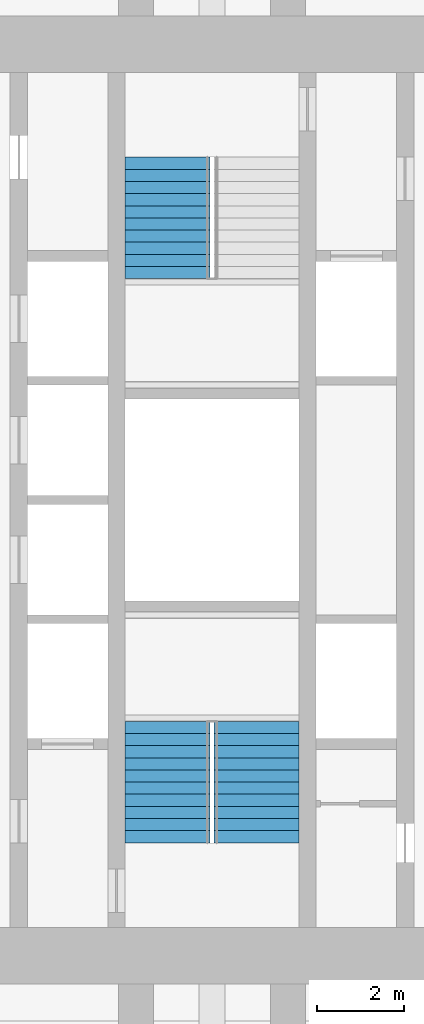
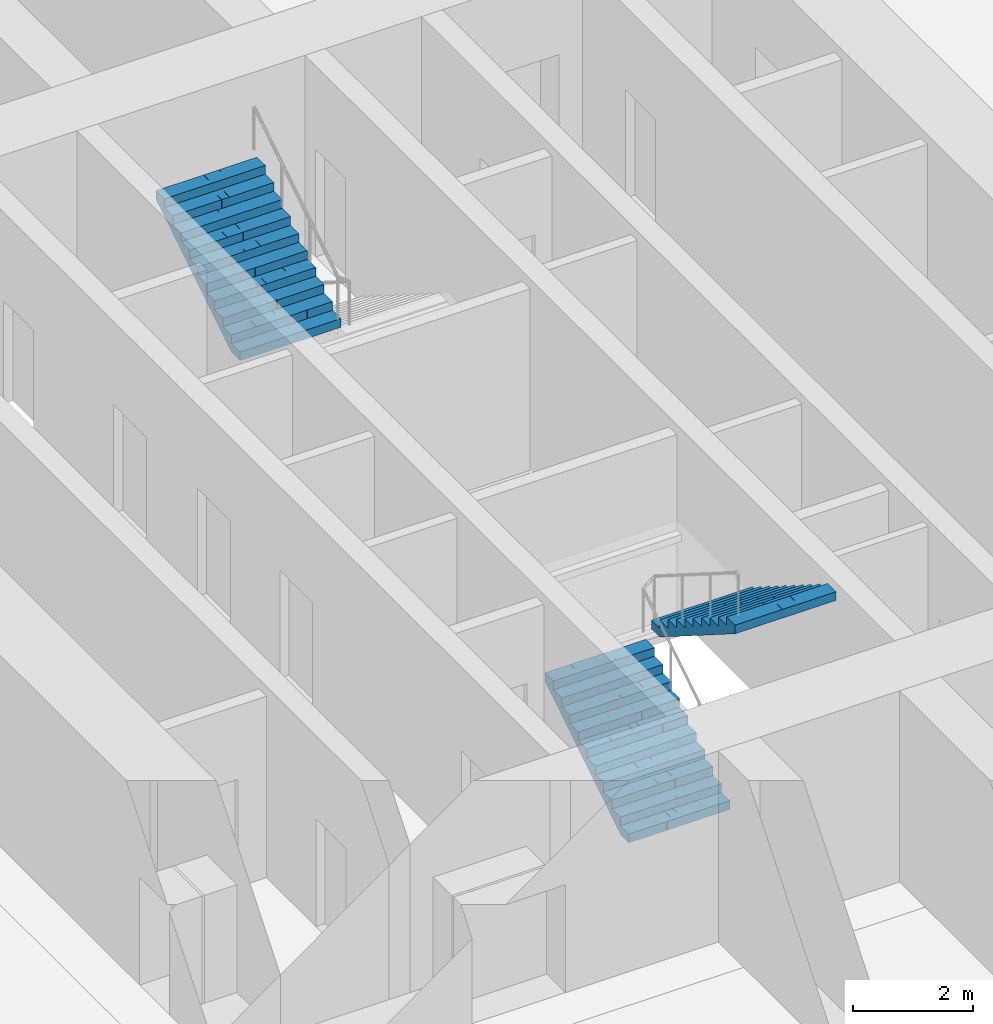
# One storey, part 18 of 20: 3 stair flights, 2 elements without a shape of their own.
"""IFC4 building model written with IfcOpenShell, lengths in metres."""

import ifcopenshell
import ifcopenshell.guid

model = None  # the IFC model being written
_history = None  # IfcOwnerHistory: only IFC2X3 demands one
_inside = {}  # id of a spatial element -> (the spatial element, [elements in it])
_under = {}  # id of a project, library or spatial element -> (it, [spatial elements below it])
_declared = {}  # id of a project -> (the project, [libraries it declares])
_typed = {}  # id of a type object -> (the type object, [elements of that type])
_made_of = {}  # id of a material, layer set ... -> (it, [elements and type objects made of it])


def new_model(schema):
    """Start an empty IFC model of exactly this schema.

    Asked for "IFC4X3", IfcOpenShell would pick the latest addendum, in which some entities
    have other attributes; the version numbers below select the first issue.
    IFC2X3 requires an IfcOwnerHistory on every rooted entity: one is made here for all.
    """
    global model, _history
    if schema == "IFC4X3":
        model = ifcopenshell.file(schema_version=(4, 3, 0, 0))
    else:
        model = ifcopenshell.file(schema=schema)
    _inside.clear()
    _under.clear()
    _declared.clear()
    _typed.clear()
    _made_of.clear()
    _history = None
    if model.schema == "IFC2X3":
        org = make("IfcOrganization", Name="unknown")
        user = make(
            "IfcPersonAndOrganization",
            ThePerson=make("IfcPerson", FamilyName="unknown"),
            TheOrganization=org,
        )
        app = make(
            "IfcApplication",
            ApplicationDeveloper=org,
            Version="unknown",
            ApplicationFullName="unknown",
            ApplicationIdentifier="unknown",
        )
        _history = make(
            "IfcOwnerHistory",
            OwningUser=user,
            OwningApplication=app,
            ChangeAction="ADDED",
            CreationDate=0,
        )
    return model


def make(cls, **values):
    """One entity of the class cls with the attributes given. An attribute that is None is left unset."""
    return model.create_entity(
        cls, **{name: value for name, value in values.items() if value is not None}
    )


def rooted(cls, **values):
    """An entity with a GlobalId (a new one), such as an element, a storey or a relation."""
    return make(cls, GlobalId=ifcopenshell.guid.new(), OwnerHistory=_history, **values)


def si_unit(unit_type, name, prefix=None):
    """IfcSIUnit, for example si_unit("LENGTHUNIT", "METRE", prefix="MILLI")."""
    return make("IfcSIUnit", UnitType=unit_type, Prefix=prefix, Name=name)


def assignment(units):
    """IfcUnitAssignment: the units of a project."""
    return None if units is None else make("IfcUnitAssignment", Units=units)


def point(xyz):
    """IfcCartesianPoint."""
    return None if xyz is None else make("IfcCartesianPoint", Coordinates=xyz)


def direction(xyz):
    """IfcDirection."""
    return None if xyz is None else make("IfcDirection", DirectionRatios=xyz)


def frame(location, z_axis=None, x_axis=None):
    """IfcAxis2Placement3D, a coordinate frame: its origin and axes. An axis left out is left unset."""
    return make(
        "IfcAxis2Placement3D",
        Location=point(location),
        Axis=direction(z_axis),
        RefDirection=direction(x_axis),
    )


def origin():
    """The frame at (0, 0, 0) with its axes left unset."""
    return frame((0.0, 0.0, 0.0))


def place(relative_to, where):
    """IfcLocalPlacement: puts the frame where relative to a parent placement (None: the world)."""
    return make(
        "IfcLocalPlacement", PlacementRelTo=relative_to, RelativePlacement=where
    )


def context(
    kind, dimensions, precision=None, world=None, true_north=None, identifier=None
):
    """IfcGeometricRepresentationContext, for example the 3D "Model" context."""
    return make(
        "IfcGeometricRepresentationContext",
        ContextIdentifier=identifier,
        ContextType=kind,
        CoordinateSpaceDimension=dimensions,
        Precision=precision,
        WorldCoordinateSystem=world,
        TrueNorth=true_north,
    )


def subcontext(parent, identifier, kind, view, scale=None):
    """IfcGeometricRepresentationSubContext, for example "Body" below "Model"."""
    return make(
        "IfcGeometricRepresentationSubContext",
        ContextIdentifier=identifier,
        ContextType=kind,
        ParentContext=parent,
        TargetScale=scale,
        TargetView=view,
    )


def project(units=None, contexts=None):
    """IfcProject with its units and contexts."""
    return rooted(
        "IfcProject",
        Name="project",
        RepresentationContexts=contexts,
        UnitsInContext=assignment(units),
    )


def spatial(cls, under=None, at=None, **own):
    """A site, building, storey or space (cls), placed at a placement, below another one or the project."""
    s = rooted(cls, ObjectPlacement=at, **own)
    if under is not None:
        _under.setdefault(under.id(), (under, []))[1].append(s)
    return s


def polyline(points):
    """IfcPolyline through the points."""
    return make("IfcPolyline", Points=[point(p) for p in points])


def outline(outer, holes=None, kind="AREA"):
    """IfcArbitraryClosedProfileDef: a profile drawn as a closed curve; with holes, ...WithVoids."""
    if holes is None:
        return make("IfcArbitraryClosedProfileDef", ProfileType=kind, OuterCurve=outer)
    return make(
        "IfcArbitraryProfileDefWithVoids",
        ProfileType=kind,
        OuterCurve=outer,
        InnerCurves=holes,
    )


def extrude(swept, where, along, depth):
    """IfcExtrudedAreaSolid: the profile swept, set in the frame where, extruded along a direction by depth."""
    return make(
        "IfcExtrudedAreaSolid",
        SweptArea=swept,
        Position=where,
        ExtrudedDirection=direction(along),
        Depth=depth,
    )


def shape(context_of_items, identifier, shape_type, items):
    """IfcShapeRepresentation: the items that make up one representation, for example the "Body"."""
    return make(
        "IfcShapeRepresentation",
        ContextOfItems=context_of_items,
        RepresentationIdentifier=identifier,
        RepresentationType=shape_type,
        Items=items,
    )


def material(Name=None, Category=None):
    """IfcMaterial."""
    return make("IfcMaterial", Name=Name, Category=Category)


def made_of(thing, what):
    """Note that an element or type object is made of a material, layer set ...; save() writes the relation."""
    if what is not None:
        _made_of.setdefault(what.id(), (what, []))[1].append(thing)
    return thing


def type_object(cls, material=None, **own):
    """A type object (cls), such as IfcWallType, which elements share."""
    return made_of(rooted(cls, **own), material)


def element(
    cls,
    number,
    at=None,
    inside=None,
    cuts=None,
    type_object=None,
    material=None,
    context=None,
    identifier="Body",
    shape_type=None,
    held_by="IfcProductDefinitionShape",
    body=None,
    shapes=None,
    **own,
):
    """One element of the class cls, such as IfcWall. Its Tag is "e" and its number.

    at: its placement. inside: the storey or other place that contains it. cuts: it is an
    opening in that element (IfcRelVoidsElement). A single representation is given by context,
    identifier, shape_type and body (its items); several are given by shapes. held_by: the class
    of the entity that holds the representations. save() writes the other relations.
    """
    e = rooted(cls, Tag="e%d" % number, ObjectPlacement=at, **own)
    if body is not None:
        shapes = [shape(context, identifier, shape_type, body)]
    if shapes is not None:
        e.Representation = make(held_by, Representations=shapes)
    if inside is not None:
        _inside.setdefault(inside.id(), (inside, []))[1].append(e)
    if cuts is not None:
        rooted(
            "IfcRelVoidsElement", RelatingBuildingElement=cuts, RelatedOpeningElement=e
        )
    if type_object is not None:
        _typed.setdefault(type_object.id(), (type_object, []))[1].append(e)
    return made_of(e, material)


def aggregate(whole, parts):
    """IfcRelAggregates: a whole, such as a stair, and the parts it consists of."""
    return rooted("IfcRelAggregates", RelatingObject=whole, RelatedObjects=parts)


def save(model, path):
    """Write the relations noted so far, then the file.

    IfcRelAggregates (storeys below a building ...), IfcRelContainedInSpatialStructure (elements
    in a storey), IfcRelDefinesByType, IfcRelAssociatesMaterial and IfcRelDeclares: one each for
    every whole, place, type object, material and project.
    """
    for whole, parts in _under.values():
        aggregate(whole, parts)
    for where, things in _inside.values():
        rooted(
            "IfcRelContainedInSpatialStructure",
            RelatedElements=things,
            RelatingStructure=where,
        )
    for kind, things in _typed.values():
        rooted("IfcRelDefinesByType", RelatedObjects=things, RelatingType=kind)
    for what, things in _made_of.values():
        rooted("IfcRelAssociatesMaterial", RelatedObjects=things, RelatingMaterial=what)
    for by, libraries in _declared.values():
        rooted("IfcRelDeclares", RelatingContext=by, RelatedDefinitions=libraries)
    model.write(path)


model = new_model("IFC4")

# Units and contexts
model_context = context("Model", 3, precision=1e-05, world=origin(), true_north=direction((0.0, 1.0)))
body_context = subcontext(model_context, "Body", "Model", "MODEL_VIEW")
ifc_project = project(units=[si_unit("LENGTHUNIT", "METRE"), si_unit("AREAUNIT", "SQUARE_METRE"), si_unit("VOLUMEUNIT", "CUBIC_METRE"), si_unit("PLANEANGLEUNIT", "RADIAN"), si_unit("MASSUNIT", "GRAM", prefix="KILO")], contexts=[model_context])

# Site, building, storey
site_placement = place(None, origin())
site = spatial("IfcSite", under=ifc_project, at=site_placement, CompositionType="ELEMENT")
building_placement = place(site_placement, origin())
building = spatial("IfcBuilding", under=site, at=building_placement, Name="Mizan Broadcast Tower", CompositionType="ELEMENT")
storey_placement = place(building_placement, frame((0.0, 0.0, 174.89990234375)))
storey = spatial("IfcBuildingStorey", under=building, at=storey_placement, Name="L40", CompositionType="ELEMENT", Elevation=174.89990234375)

# Stair, stair flights
ifc_material_1 = material(Name="Concrete C40/50", Category="concrete")
stair_type = type_object("IfcStairType", Name="EXIT STAIR", PredefinedType="HALF_TURN_STAIR", material=ifc_material_1)
stair_1_placement = place(storey_placement, origin())
stair_1 = element("IfcStair", 1, at=stair_1_placement, inside=storey, type_object=stair_type, Name="Stair A L40", PredefinedType="HALF_TURN_STAIR")
ifc_material_2 = material(Name="Concrete C40/50", Category="concrete")
stair_flight_type = type_object("IfcStairFlightType", Name="EXIT STAIR FLIGHT", PredefinedType="STRAIGHT", material=ifc_material_2)
stair_flight_1_placement = place(storey_placement, frame((-1.02490234375, -7.89990234375, 0.0), z_axis=(0.0, 0.0, 1.0), x_axis=(0.0, 1.0, 0.0)))
stair_flight_1 = element("IfcStairFlight", 2, at=stair_flight_1_placement, type_object=stair_flight_type, Name="A flight 1", NumberOfRisers=11, NumberOfTreads=10, PredefinedType="STRAIGHT", RiserHeight=0.177272727, TreadLength=0.28, context=body_context, shape_type="SweptSolid", body=[
    extrude(outline(polyline([(0.0, 0.0), (0.0, 0.17724609375), (0.280029296875, 0.17724609375), (0.280029296875, 0.3544921875), (0.56005859375, 0.3544921875), (0.56005859375, 0.53173828125), (0.840087890625, 0.53173828125), (0.840087890625, 0.708984375), (1.1201171875, 0.708984375), (1.1201171875, 0.886474609375), (1.39990234375, 0.886474609375), (1.39990234375, 1.063720703125), (1.679931640625, 1.063720703125), (1.679931640625, 1.240966796875), (1.9599609375, 1.240966796875), (1.9599609375, 1.418212890625), (2.239990234375, 1.418212890625), (2.239990234375, 1.595458984375), (2.52001953125, 1.595458984375), (2.52001953125, 1.772705078125), (2.800048828125, 1.772705078125), (2.800048828125, 1.949951171875), (2.800048828125, 1.59521484375), (0.2802734375, 0.0), (0.0, 0.0)])), frame((0.0, 0.97509765625, 0.0), z_axis=(0.0, -1.0, 0.0), x_axis=(1.0, 0.0, 0.0)), (0.0, 0.0, 1.0), 0.4873046875),
    extrude(outline(polyline([(0.0, 0.0), (0.0, 0.17724609375), (0.280029296875, 0.17724609375), (0.280029296875, 0.3544921875), (0.56005859375, 0.3544921875), (0.56005859375, 0.53173828125), (0.840087890625, 0.53173828125), (0.840087890625, 0.708984375), (1.1201171875, 0.708984375), (1.1201171875, 0.886474609375), (1.39990234375, 0.886474609375), (1.39990234375, 1.063720703125), (1.679931640625, 1.063720703125), (1.679931640625, 1.240966796875), (1.9599609375, 1.240966796875), (1.9599609375, 1.418212890625), (2.239990234375, 1.418212890625), (2.239990234375, 1.595458984375), (2.52001953125, 1.595458984375), (2.52001953125, 1.772705078125), (2.800048828125, 1.772705078125), (2.800048828125, 1.949951171875), (2.800048828125, 1.59521484375), (0.2802734375, 0.0), (0.0, 0.0)])), frame((0.0, 0.4873046875, 0.0), z_axis=(0.0, -1.0, 0.0), x_axis=(1.0, 0.0, 0.0)), (0.0, 0.0, 1.0), 0.2431640625),
    extrude(outline(polyline([(0.0, 0.0), (0.0, 0.17724609375), (0.280029296875, 0.17724609375), (0.280029296875, 0.3544921875), (0.56005859375, 0.3544921875), (0.56005859375, 0.53173828125), (0.840087890625, 0.53173828125), (0.840087890625, 0.708984375), (1.1201171875, 0.708984375), (1.1201171875, 0.886474609375), (1.39990234375, 0.886474609375), (1.39990234375, 1.063720703125), (1.679931640625, 1.063720703125), (1.679931640625, 1.240966796875), (1.9599609375, 1.240966796875), (1.9599609375, 1.418212890625), (2.239990234375, 1.418212890625), (2.239990234375, 1.595458984375), (2.52001953125, 1.595458984375), (2.52001953125, 1.772705078125), (2.800048828125, 1.772705078125), (2.800048828125, 1.949951171875), (2.800048828125, 1.59521484375), (0.2802734375, 0.0), (0.0, 0.0)])), frame((0.0, 0.24365234375, 0.0), z_axis=(0.0, -1.0, 0.0), x_axis=(1.0, 0.0, 0.0)), (0.0, 0.0, 1.0), 0.121337890625),
    extrude(outline(polyline([(0.0, 0.0), (0.0, 0.17724609375), (0.280029296875, 0.17724609375), (0.280029296875, 0.3544921875), (0.56005859375, 0.3544921875), (0.56005859375, 0.53173828125), (0.840087890625, 0.53173828125), (0.840087890625, 0.708984375), (1.1201171875, 0.708984375), (1.1201171875, 0.886474609375), (1.39990234375, 0.886474609375), (1.39990234375, 1.063720703125), (1.679931640625, 1.063720703125), (1.679931640625, 1.240966796875), (1.9599609375, 1.240966796875), (1.9599609375, 1.418212890625), (2.239990234375, 1.418212890625), (2.239990234375, 1.595458984375), (2.52001953125, 1.595458984375), (2.52001953125, 1.772705078125), (2.800048828125, 1.772705078125), (2.800048828125, 1.949951171875), (2.800048828125, 1.59521484375), (0.2802734375, 0.0), (0.0, 0.0)])), frame((0.0, 0.121826171875, 0.0), z_axis=(0.0, -1.0, 0.0), x_axis=(1.0, 0.0, 0.0)), (0.0, 0.0, 1.0), 0.060546875),
    extrude(outline(polyline([(0.0, 0.0), (0.0, 0.17724609375), (0.280029296875, 0.17724609375), (0.280029296875, 0.3544921875), (0.56005859375, 0.3544921875), (0.56005859375, 0.53173828125), (0.840087890625, 0.53173828125), (0.840087890625, 0.708984375), (1.1201171875, 0.708984375), (1.1201171875, 0.886474609375), (1.39990234375, 0.886474609375), (1.39990234375, 1.063720703125), (1.679931640625, 1.063720703125), (1.679931640625, 1.240966796875), (1.9599609375, 1.240966796875), (1.9599609375, 1.418212890625), (2.239990234375, 1.418212890625), (2.239990234375, 1.595458984375), (2.52001953125, 1.595458984375), (2.52001953125, 1.772705078125), (2.800048828125, 1.772705078125), (2.800048828125, 1.949951171875), (2.800048828125, 1.59521484375), (0.2802734375, 0.0), (0.0, 0.0)])), frame((0.0, 0.060791015625, 0.0), z_axis=(0.0, -1.0, 0.0), x_axis=(1.0, 0.0, 0.0)), (0.0, 0.0, 1.0), 0.030029296875),
    extrude(outline(polyline([(0.0, 0.0), (0.0, 0.17724609375), (0.280029296875, 0.17724609375), (0.280029296875, 0.3544921875), (0.56005859375, 0.3544921875), (0.56005859375, 0.53173828125), (0.840087890625, 0.53173828125), (0.840087890625, 0.708984375), (1.1201171875, 0.708984375), (1.1201171875, 0.886474609375), (1.39990234375, 0.886474609375), (1.39990234375, 1.063720703125), (1.679931640625, 1.063720703125), (1.679931640625, 1.240966796875), (1.9599609375, 1.240966796875), (1.9599609375, 1.418212890625), (2.239990234375, 1.418212890625), (2.239990234375, 1.595458984375), (2.52001953125, 1.595458984375), (2.52001953125, 1.772705078125), (2.800048828125, 1.772705078125), (2.800048828125, 1.949951171875), (2.800048828125, 1.59521484375), (0.2802734375, 0.0), (0.0, 0.0)])), frame((0.0, 0.0302734375, 0.0), z_axis=(0.0, -1.0, 0.0), x_axis=(1.0, 0.0, 0.0)), (0.0, 0.0, 1.0), 0.060302734375),
    extrude(outline(polyline([(0.0, 0.0), (0.0, 0.17724609375), (0.280029296875, 0.17724609375), (0.280029296875, 0.3544921875), (0.56005859375, 0.3544921875), (0.56005859375, 0.53173828125), (0.840087890625, 0.53173828125), (0.840087890625, 0.708984375), (1.1201171875, 0.708984375), (1.1201171875, 0.886474609375), (1.39990234375, 0.886474609375), (1.39990234375, 1.063720703125), (1.679931640625, 1.063720703125), (1.679931640625, 1.240966796875), (1.9599609375, 1.240966796875), (1.9599609375, 1.418212890625), (2.239990234375, 1.418212890625), (2.239990234375, 1.595458984375), (2.52001953125, 1.595458984375), (2.52001953125, 1.772705078125), (2.800048828125, 1.772705078125), (2.800048828125, 1.949951171875), (2.800048828125, 1.59521484375), (0.2802734375, 0.0), (0.0, 0.0)])), frame((0.0, -0.030517578125, 0.0), z_axis=(0.0, -1.0, 0.0), x_axis=(1.0, 0.0, 0.0)), (0.0, 0.0, 1.0), 0.030029296875),
    extrude(outline(polyline([(0.0, 0.0), (0.0, 0.17724609375), (0.280029296875, 0.17724609375), (0.280029296875, 0.3544921875), (0.56005859375, 0.3544921875), (0.56005859375, 0.53173828125), (0.840087890625, 0.53173828125), (0.840087890625, 0.708984375), (1.1201171875, 0.708984375), (1.1201171875, 0.886474609375), (1.39990234375, 0.886474609375), (1.39990234375, 1.063720703125), (1.679931640625, 1.063720703125), (1.679931640625, 1.240966796875), (1.9599609375, 1.240966796875), (1.9599609375, 1.418212890625), (2.239990234375, 1.418212890625), (2.239990234375, 1.595458984375), (2.52001953125, 1.595458984375), (2.52001953125, 1.772705078125), (2.800048828125, 1.772705078125), (2.800048828125, 1.949951171875), (2.800048828125, 1.59521484375), (0.2802734375, 0.0), (0.0, 0.0)])), frame((0.0, -0.06103515625, 0.0), z_axis=(0.0, -1.0, 0.0), x_axis=(1.0, 0.0, 0.0)), (0.0, 0.0, 1.0), 0.060546875),
    extrude(outline(polyline([(0.0, 0.0), (0.0, 0.17724609375), (0.280029296875, 0.17724609375), (0.280029296875, 0.3544921875), (0.56005859375, 0.3544921875), (0.56005859375, 0.53173828125), (0.840087890625, 0.53173828125), (0.840087890625, 0.708984375), (1.1201171875, 0.708984375), (1.1201171875, 0.886474609375), (1.39990234375, 0.886474609375), (1.39990234375, 1.063720703125), (1.679931640625, 1.063720703125), (1.679931640625, 1.240966796875), (1.9599609375, 1.240966796875), (1.9599609375, 1.418212890625), (2.239990234375, 1.418212890625), (2.239990234375, 1.595458984375), (2.52001953125, 1.595458984375), (2.52001953125, 1.772705078125), (2.800048828125, 1.772705078125), (2.800048828125, 1.949951171875), (2.800048828125, 1.59521484375), (0.2802734375, 0.0), (0.0, 0.0)])), frame((0.0, -0.1220703125, 0.0), z_axis=(0.0, -1.0, 0.0), x_axis=(1.0, 0.0, 0.0)), (0.0, 0.0, 1.0), 0.121337890625),
    extrude(outline(polyline([(0.0, 0.0), (0.0, 0.17724609375), (0.280029296875, 0.17724609375), (0.280029296875, 0.3544921875), (0.56005859375, 0.3544921875), (0.56005859375, 0.53173828125), (0.840087890625, 0.53173828125), (0.840087890625, 0.708984375), (1.1201171875, 0.708984375), (1.1201171875, 0.886474609375), (1.39990234375, 0.886474609375), (1.39990234375, 1.063720703125), (1.679931640625, 1.063720703125), (1.679931640625, 1.240966796875), (1.9599609375, 1.240966796875), (1.9599609375, 1.418212890625), (2.239990234375, 1.418212890625), (2.239990234375, 1.595458984375), (2.52001953125, 1.595458984375), (2.52001953125, 1.772705078125), (2.800048828125, 1.772705078125), (2.800048828125, 1.949951171875), (2.800048828125, 1.59521484375), (0.2802734375, 0.0), (0.0, 0.0)])), frame((0.0, -0.243896484375, 0.0), z_axis=(0.0, -1.0, 0.0), x_axis=(1.0, 0.0, 0.0)), (0.0, 0.0, 1.0), 0.2431640625),
    extrude(outline(polyline([(0.0, 0.0), (0.0, 0.17724609375), (0.280029296875, 0.17724609375), (0.280029296875, 0.3544921875), (0.56005859375, 0.3544921875), (0.56005859375, 0.53173828125), (0.840087890625, 0.53173828125), (0.840087890625, 0.708984375), (1.1201171875, 0.708984375), (1.1201171875, 0.886474609375), (1.39990234375, 0.886474609375), (1.39990234375, 1.063720703125), (1.679931640625, 1.063720703125), (1.679931640625, 1.240966796875), (1.9599609375, 1.240966796875), (1.9599609375, 1.418212890625), (2.239990234375, 1.418212890625), (2.239990234375, 1.595458984375), (2.52001953125, 1.595458984375), (2.52001953125, 1.772705078125), (2.800048828125, 1.772705078125), (2.800048828125, 1.949951171875), (2.800048828125, 1.59521484375), (0.2802734375, 0.0), (0.0, 0.0)])), frame((0.0, -0.487548828125, 0.0), z_axis=(0.0, -1.0, 0.0), x_axis=(1.0, 0.0, 0.0)), (0.0, 0.0, 1.0), 0.4873046875),
])
stair_flight_2_placement = place(storey_placement, frame((1.02490234375, -5.10009765625, 1.9501953125), z_axis=(0.0, 0.0, 1.0), x_axis=(0.0, -1.0, 0.0)))
stair_flight_2 = element("IfcStairFlight", 3, at=stair_flight_2_placement, type_object=stair_flight_type, Name="A flight 2", NumberOfRisers=11, NumberOfTreads=10, PredefinedType="STRAIGHT", RiserHeight=0.177272727, TreadLength=0.28, context=body_context, shape_type="SweptSolid", body=[
    extrude(outline(polyline([(0.0, 0.0), (0.0, 0.17724609375), (0.280029296875, 0.17724609375), (0.280029296875, 0.3544921875), (0.56005859375, 0.3544921875), (0.56005859375, 0.53173828125), (0.840087890625, 0.53173828125), (0.840087890625, 0.708984375), (1.1201171875, 0.708984375), (1.1201171875, 0.886474609375), (1.39990234375, 0.886474609375), (1.39990234375, 1.063720703125), (1.679931640625, 1.063720703125), (1.679931640625, 1.240966796875), (1.9599609375, 1.240966796875), (1.9599609375, 1.418212890625), (2.239990234375, 1.418212890625), (2.239990234375, 1.595458984375), (2.52001953125, 1.595458984375), (2.52001953125, 1.772705078125), (2.800048828125, 1.772705078125), (2.800048828125, 1.949951171875), (2.800048828125, 1.59521484375), (0.2802734375, 0.0), (0.0, 0.0)])), frame((0.0, 0.97509765625, 0.0), z_axis=(0.0, -1.0, 0.0), x_axis=(1.0, 0.0, 0.0)), (0.0, 0.0, 1.0), 0.4873046875),
    extrude(outline(polyline([(0.0, 0.0), (0.0, 0.17724609375), (0.280029296875, 0.17724609375), (0.280029296875, 0.3544921875), (0.56005859375, 0.3544921875), (0.56005859375, 0.53173828125), (0.840087890625, 0.53173828125), (0.840087890625, 0.708984375), (1.1201171875, 0.708984375), (1.1201171875, 0.886474609375), (1.39990234375, 0.886474609375), (1.39990234375, 1.063720703125), (1.679931640625, 1.063720703125), (1.679931640625, 1.240966796875), (1.9599609375, 1.240966796875), (1.9599609375, 1.418212890625), (2.239990234375, 1.418212890625), (2.239990234375, 1.595458984375), (2.52001953125, 1.595458984375), (2.52001953125, 1.772705078125), (2.800048828125, 1.772705078125), (2.800048828125, 1.949951171875), (2.800048828125, 1.59521484375), (0.2802734375, 0.0), (0.0, 0.0)])), frame((0.0, 0.4873046875, 0.0), z_axis=(0.0, -1.0, 0.0), x_axis=(1.0, 0.0, 0.0)), (0.0, 0.0, 1.0), 0.2431640625),
    extrude(outline(polyline([(0.0, 0.0), (0.0, 0.17724609375), (0.280029296875, 0.17724609375), (0.280029296875, 0.3544921875), (0.56005859375, 0.3544921875), (0.56005859375, 0.53173828125), (0.840087890625, 0.53173828125), (0.840087890625, 0.708984375), (1.1201171875, 0.708984375), (1.1201171875, 0.886474609375), (1.39990234375, 0.886474609375), (1.39990234375, 1.063720703125), (1.679931640625, 1.063720703125), (1.679931640625, 1.240966796875), (1.9599609375, 1.240966796875), (1.9599609375, 1.418212890625), (2.239990234375, 1.418212890625), (2.239990234375, 1.595458984375), (2.52001953125, 1.595458984375), (2.52001953125, 1.772705078125), (2.800048828125, 1.772705078125), (2.800048828125, 1.949951171875), (2.800048828125, 1.59521484375), (0.2802734375, 0.0), (0.0, 0.0)])), frame((0.0, 0.24365234375, 0.0), z_axis=(0.0, -1.0, 0.0), x_axis=(1.0, 0.0, 0.0)), (0.0, 0.0, 1.0), 0.121337890625),
    extrude(outline(polyline([(0.0, 0.0), (0.0, 0.17724609375), (0.280029296875, 0.17724609375), (0.280029296875, 0.3544921875), (0.56005859375, 0.3544921875), (0.56005859375, 0.53173828125), (0.840087890625, 0.53173828125), (0.840087890625, 0.708984375), (1.1201171875, 0.708984375), (1.1201171875, 0.886474609375), (1.39990234375, 0.886474609375), (1.39990234375, 1.063720703125), (1.679931640625, 1.063720703125), (1.679931640625, 1.240966796875), (1.9599609375, 1.240966796875), (1.9599609375, 1.418212890625), (2.239990234375, 1.418212890625), (2.239990234375, 1.595458984375), (2.52001953125, 1.595458984375), (2.52001953125, 1.772705078125), (2.800048828125, 1.772705078125), (2.800048828125, 1.949951171875), (2.800048828125, 1.59521484375), (0.2802734375, 0.0), (0.0, 0.0)])), frame((0.0, 0.121826171875, 0.0), z_axis=(0.0, -1.0, 0.0), x_axis=(1.0, 0.0, 0.0)), (0.0, 0.0, 1.0), 0.060546875),
    extrude(outline(polyline([(0.0, 0.0), (0.0, 0.17724609375), (0.280029296875, 0.17724609375), (0.280029296875, 0.3544921875), (0.56005859375, 0.3544921875), (0.56005859375, 0.53173828125), (0.840087890625, 0.53173828125), (0.840087890625, 0.708984375), (1.1201171875, 0.708984375), (1.1201171875, 0.886474609375), (1.39990234375, 0.886474609375), (1.39990234375, 1.063720703125), (1.679931640625, 1.063720703125), (1.679931640625, 1.240966796875), (1.9599609375, 1.240966796875), (1.9599609375, 1.418212890625), (2.239990234375, 1.418212890625), (2.239990234375, 1.595458984375), (2.52001953125, 1.595458984375), (2.52001953125, 1.772705078125), (2.800048828125, 1.772705078125), (2.800048828125, 1.949951171875), (2.800048828125, 1.59521484375), (0.2802734375, 0.0), (0.0, 0.0)])), frame((0.0, 0.060791015625, 0.0), z_axis=(0.0, -1.0, 0.0), x_axis=(1.0, 0.0, 0.0)), (0.0, 0.0, 1.0), 0.030029296875),
    extrude(outline(polyline([(0.0, 0.0), (0.0, 0.17724609375), (0.280029296875, 0.17724609375), (0.280029296875, 0.3544921875), (0.56005859375, 0.3544921875), (0.56005859375, 0.53173828125), (0.840087890625, 0.53173828125), (0.840087890625, 0.708984375), (1.1201171875, 0.708984375), (1.1201171875, 0.886474609375), (1.39990234375, 0.886474609375), (1.39990234375, 1.063720703125), (1.679931640625, 1.063720703125), (1.679931640625, 1.240966796875), (1.9599609375, 1.240966796875), (1.9599609375, 1.418212890625), (2.239990234375, 1.418212890625), (2.239990234375, 1.595458984375), (2.52001953125, 1.595458984375), (2.52001953125, 1.772705078125), (2.800048828125, 1.772705078125), (2.800048828125, 1.949951171875), (2.800048828125, 1.59521484375), (0.2802734375, 0.0), (0.0, 0.0)])), frame((0.0, 0.0302734375, 0.0), z_axis=(0.0, -1.0, 0.0), x_axis=(1.0, 0.0, 0.0)), (0.0, 0.0, 1.0), 0.060302734375),
    extrude(outline(polyline([(0.0, 0.0), (0.0, 0.17724609375), (0.280029296875, 0.17724609375), (0.280029296875, 0.3544921875), (0.56005859375, 0.3544921875), (0.56005859375, 0.53173828125), (0.840087890625, 0.53173828125), (0.840087890625, 0.708984375), (1.1201171875, 0.708984375), (1.1201171875, 0.886474609375), (1.39990234375, 0.886474609375), (1.39990234375, 1.063720703125), (1.679931640625, 1.063720703125), (1.679931640625, 1.240966796875), (1.9599609375, 1.240966796875), (1.9599609375, 1.418212890625), (2.239990234375, 1.418212890625), (2.239990234375, 1.595458984375), (2.52001953125, 1.595458984375), (2.52001953125, 1.772705078125), (2.800048828125, 1.772705078125), (2.800048828125, 1.949951171875), (2.800048828125, 1.59521484375), (0.2802734375, 0.0), (0.0, 0.0)])), frame((0.0, -0.030517578125, 0.0), z_axis=(0.0, -1.0, 0.0), x_axis=(1.0, 0.0, 0.0)), (0.0, 0.0, 1.0), 0.030029296875),
    extrude(outline(polyline([(0.0, 0.0), (0.0, 0.17724609375), (0.280029296875, 0.17724609375), (0.280029296875, 0.3544921875), (0.56005859375, 0.3544921875), (0.56005859375, 0.53173828125), (0.840087890625, 0.53173828125), (0.840087890625, 0.708984375), (1.1201171875, 0.708984375), (1.1201171875, 0.886474609375), (1.39990234375, 0.886474609375), (1.39990234375, 1.063720703125), (1.679931640625, 1.063720703125), (1.679931640625, 1.240966796875), (1.9599609375, 1.240966796875), (1.9599609375, 1.418212890625), (2.239990234375, 1.418212890625), (2.239990234375, 1.595458984375), (2.52001953125, 1.595458984375), (2.52001953125, 1.772705078125), (2.800048828125, 1.772705078125), (2.800048828125, 1.949951171875), (2.800048828125, 1.59521484375), (0.2802734375, 0.0), (0.0, 0.0)])), frame((0.0, -0.06103515625, 0.0), z_axis=(0.0, -1.0, 0.0), x_axis=(1.0, 0.0, 0.0)), (0.0, 0.0, 1.0), 0.060546875),
    extrude(outline(polyline([(0.0, 0.0), (0.0, 0.17724609375), (0.280029296875, 0.17724609375), (0.280029296875, 0.3544921875), (0.56005859375, 0.3544921875), (0.56005859375, 0.53173828125), (0.840087890625, 0.53173828125), (0.840087890625, 0.708984375), (1.1201171875, 0.708984375), (1.1201171875, 0.886474609375), (1.39990234375, 0.886474609375), (1.39990234375, 1.063720703125), (1.679931640625, 1.063720703125), (1.679931640625, 1.240966796875), (1.9599609375, 1.240966796875), (1.9599609375, 1.418212890625), (2.239990234375, 1.418212890625), (2.239990234375, 1.595458984375), (2.52001953125, 1.595458984375), (2.52001953125, 1.772705078125), (2.800048828125, 1.772705078125), (2.800048828125, 1.949951171875), (2.800048828125, 1.59521484375), (0.2802734375, 0.0), (0.0, 0.0)])), frame((0.0, -0.1220703125, 0.0), z_axis=(0.0, -1.0, 0.0), x_axis=(1.0, 0.0, 0.0)), (0.0, 0.0, 1.0), 0.121337890625),
    extrude(outline(polyline([(0.0, 0.0), (0.0, 0.17724609375), (0.280029296875, 0.17724609375), (0.280029296875, 0.3544921875), (0.56005859375, 0.3544921875), (0.56005859375, 0.53173828125), (0.840087890625, 0.53173828125), (0.840087890625, 0.708984375), (1.1201171875, 0.708984375), (1.1201171875, 0.886474609375), (1.39990234375, 0.886474609375), (1.39990234375, 1.063720703125), (1.679931640625, 1.063720703125), (1.679931640625, 1.240966796875), (1.9599609375, 1.240966796875), (1.9599609375, 1.418212890625), (2.239990234375, 1.418212890625), (2.239990234375, 1.595458984375), (2.52001953125, 1.595458984375), (2.52001953125, 1.772705078125), (2.800048828125, 1.772705078125), (2.800048828125, 1.949951171875), (2.800048828125, 1.59521484375), (0.2802734375, 0.0), (0.0, 0.0)])), frame((0.0, -0.243896484375, 0.0), z_axis=(0.0, -1.0, 0.0), x_axis=(1.0, 0.0, 0.0)), (0.0, 0.0, 1.0), 0.2431640625),
    extrude(outline(polyline([(0.0, 0.0), (0.0, 0.17724609375), (0.280029296875, 0.17724609375), (0.280029296875, 0.3544921875), (0.56005859375, 0.3544921875), (0.56005859375, 0.53173828125), (0.840087890625, 0.53173828125), (0.840087890625, 0.708984375), (1.1201171875, 0.708984375), (1.1201171875, 0.886474609375), (1.39990234375, 0.886474609375), (1.39990234375, 1.063720703125), (1.679931640625, 1.063720703125), (1.679931640625, 1.240966796875), (1.9599609375, 1.240966796875), (1.9599609375, 1.418212890625), (2.239990234375, 1.418212890625), (2.239990234375, 1.595458984375), (2.52001953125, 1.595458984375), (2.52001953125, 1.772705078125), (2.800048828125, 1.772705078125), (2.800048828125, 1.949951171875), (2.800048828125, 1.59521484375), (0.2802734375, 0.0), (0.0, 0.0)])), frame((0.0, -0.487548828125, 0.0), z_axis=(0.0, -1.0, 0.0), x_axis=(1.0, 0.0, 0.0)), (0.0, 0.0, 1.0), 0.4873046875),
])
aggregate(stair_1, [stair_flight_1, stair_flight_2])

# Stair, stair flight
stair_2_placement = place(storey_placement, origin())
stair_2 = element("IfcStair", 4, at=stair_2_placement, inside=storey, type_object=stair_type, Name="Stair B L40", PredefinedType="HALF_TURN_STAIR")
stair_flight_3_placement = place(storey_placement, frame((-1.02490234375, 5.10009765625, 1.9501953125), z_axis=(0.0, 0.0, 1.0), x_axis=(0.0, 1.0, 0.0)))
stair_flight_3 = element("IfcStairFlight", 5, at=stair_flight_3_placement, type_object=stair_flight_type, Name="B flight 2", NumberOfRisers=11, NumberOfTreads=10, PredefinedType="STRAIGHT", RiserHeight=0.177272727, TreadLength=0.28, context=body_context, shape_type="SweptSolid", body=[
    extrude(outline(polyline([(0.0, 0.0), (0.0, 0.17724609375), (0.280029296875, 0.17724609375), (0.280029296875, 0.3544921875), (0.56005859375, 0.3544921875), (0.56005859375, 0.53173828125), (0.840087890625, 0.53173828125), (0.840087890625, 0.708984375), (1.1201171875, 0.708984375), (1.1201171875, 0.886474609375), (1.39990234375, 0.886474609375), (1.39990234375, 1.063720703125), (1.679931640625, 1.063720703125), (1.679931640625, 1.240966796875), (1.9599609375, 1.240966796875), (1.9599609375, 1.418212890625), (2.239990234375, 1.418212890625), (2.239990234375, 1.595458984375), (2.52001953125, 1.595458984375), (2.52001953125, 1.772705078125), (2.800048828125, 1.772705078125), (2.800048828125, 1.949951171875), (2.800048828125, 1.59521484375), (0.2802734375, 0.0), (0.0, 0.0)])), frame((0.0, 0.97509765625, 0.0), z_axis=(0.0, -1.0, 0.0), x_axis=(1.0, 0.0, 0.0)), (0.0, 0.0, 1.0), 0.4873046875),
    extrude(outline(polyline([(0.0, 0.0), (0.0, 0.17724609375), (0.280029296875, 0.17724609375), (0.280029296875, 0.3544921875), (0.56005859375, 0.3544921875), (0.56005859375, 0.53173828125), (0.840087890625, 0.53173828125), (0.840087890625, 0.708984375), (1.1201171875, 0.708984375), (1.1201171875, 0.886474609375), (1.39990234375, 0.886474609375), (1.39990234375, 1.063720703125), (1.679931640625, 1.063720703125), (1.679931640625, 1.240966796875), (1.9599609375, 1.240966796875), (1.9599609375, 1.418212890625), (2.239990234375, 1.418212890625), (2.239990234375, 1.595458984375), (2.52001953125, 1.595458984375), (2.52001953125, 1.772705078125), (2.800048828125, 1.772705078125), (2.800048828125, 1.949951171875), (2.800048828125, 1.59521484375), (0.2802734375, 0.0), (0.0, 0.0)])), frame((0.0, 0.4873046875, 0.0), z_axis=(0.0, -1.0, 0.0), x_axis=(1.0, 0.0, 0.0)), (0.0, 0.0, 1.0), 0.2431640625),
    extrude(outline(polyline([(0.0, 0.0), (0.0, 0.17724609375), (0.280029296875, 0.17724609375), (0.280029296875, 0.3544921875), (0.56005859375, 0.3544921875), (0.56005859375, 0.53173828125), (0.840087890625, 0.53173828125), (0.840087890625, 0.708984375), (1.1201171875, 0.708984375), (1.1201171875, 0.886474609375), (1.39990234375, 0.886474609375), (1.39990234375, 1.063720703125), (1.679931640625, 1.063720703125), (1.679931640625, 1.240966796875), (1.9599609375, 1.240966796875), (1.9599609375, 1.418212890625), (2.239990234375, 1.418212890625), (2.239990234375, 1.595458984375), (2.52001953125, 1.595458984375), (2.52001953125, 1.772705078125), (2.800048828125, 1.772705078125), (2.800048828125, 1.949951171875), (2.800048828125, 1.59521484375), (0.2802734375, 0.0), (0.0, 0.0)])), frame((0.0, 0.24365234375, 0.0), z_axis=(0.0, -1.0, 0.0), x_axis=(1.0, 0.0, 0.0)), (0.0, 0.0, 1.0), 0.121337890625),
    extrude(outline(polyline([(0.0, 0.0), (0.0, 0.17724609375), (0.280029296875, 0.17724609375), (0.280029296875, 0.3544921875), (0.56005859375, 0.3544921875), (0.56005859375, 0.53173828125), (0.840087890625, 0.53173828125), (0.840087890625, 0.708984375), (1.1201171875, 0.708984375), (1.1201171875, 0.886474609375), (1.39990234375, 0.886474609375), (1.39990234375, 1.063720703125), (1.679931640625, 1.063720703125), (1.679931640625, 1.240966796875), (1.9599609375, 1.240966796875), (1.9599609375, 1.418212890625), (2.239990234375, 1.418212890625), (2.239990234375, 1.595458984375), (2.52001953125, 1.595458984375), (2.52001953125, 1.772705078125), (2.800048828125, 1.772705078125), (2.800048828125, 1.949951171875), (2.800048828125, 1.59521484375), (0.2802734375, 0.0), (0.0, 0.0)])), frame((0.0, 0.121826171875, 0.0), z_axis=(0.0, -1.0, 0.0), x_axis=(1.0, 0.0, 0.0)), (0.0, 0.0, 1.0), 0.060546875),
    extrude(outline(polyline([(0.0, 0.0), (0.0, 0.17724609375), (0.280029296875, 0.17724609375), (0.280029296875, 0.3544921875), (0.56005859375, 0.3544921875), (0.56005859375, 0.53173828125), (0.840087890625, 0.53173828125), (0.840087890625, 0.708984375), (1.1201171875, 0.708984375), (1.1201171875, 0.886474609375), (1.39990234375, 0.886474609375), (1.39990234375, 1.063720703125), (1.679931640625, 1.063720703125), (1.679931640625, 1.240966796875), (1.9599609375, 1.240966796875), (1.9599609375, 1.418212890625), (2.239990234375, 1.418212890625), (2.239990234375, 1.595458984375), (2.52001953125, 1.595458984375), (2.52001953125, 1.772705078125), (2.800048828125, 1.772705078125), (2.800048828125, 1.949951171875), (2.800048828125, 1.59521484375), (0.2802734375, 0.0), (0.0, 0.0)])), frame((0.0, 0.060791015625, 0.0), z_axis=(0.0, -1.0, 0.0), x_axis=(1.0, 0.0, 0.0)), (0.0, 0.0, 1.0), 0.030029296875),
    extrude(outline(polyline([(0.0, 0.0), (0.0, 0.17724609375), (0.280029296875, 0.17724609375), (0.280029296875, 0.3544921875), (0.56005859375, 0.3544921875), (0.56005859375, 0.53173828125), (0.840087890625, 0.53173828125), (0.840087890625, 0.708984375), (1.1201171875, 0.708984375), (1.1201171875, 0.886474609375), (1.39990234375, 0.886474609375), (1.39990234375, 1.063720703125), (1.679931640625, 1.063720703125), (1.679931640625, 1.240966796875), (1.9599609375, 1.240966796875), (1.9599609375, 1.418212890625), (2.239990234375, 1.418212890625), (2.239990234375, 1.595458984375), (2.52001953125, 1.595458984375), (2.52001953125, 1.772705078125), (2.800048828125, 1.772705078125), (2.800048828125, 1.949951171875), (2.800048828125, 1.59521484375), (0.2802734375, 0.0), (0.0, 0.0)])), frame((0.0, 0.0302734375, 0.0), z_axis=(0.0, -1.0, 0.0), x_axis=(1.0, 0.0, 0.0)), (0.0, 0.0, 1.0), 0.060302734375),
    extrude(outline(polyline([(0.0, 0.0), (0.0, 0.17724609375), (0.280029296875, 0.17724609375), (0.280029296875, 0.3544921875), (0.56005859375, 0.3544921875), (0.56005859375, 0.53173828125), (0.840087890625, 0.53173828125), (0.840087890625, 0.708984375), (1.1201171875, 0.708984375), (1.1201171875, 0.886474609375), (1.39990234375, 0.886474609375), (1.39990234375, 1.063720703125), (1.679931640625, 1.063720703125), (1.679931640625, 1.240966796875), (1.9599609375, 1.240966796875), (1.9599609375, 1.418212890625), (2.239990234375, 1.418212890625), (2.239990234375, 1.595458984375), (2.52001953125, 1.595458984375), (2.52001953125, 1.772705078125), (2.800048828125, 1.772705078125), (2.800048828125, 1.949951171875), (2.800048828125, 1.59521484375), (0.2802734375, 0.0), (0.0, 0.0)])), frame((0.0, -0.030517578125, 0.0), z_axis=(0.0, -1.0, 0.0), x_axis=(1.0, 0.0, 0.0)), (0.0, 0.0, 1.0), 0.030029296875),
    extrude(outline(polyline([(0.0, 0.0), (0.0, 0.17724609375), (0.280029296875, 0.17724609375), (0.280029296875, 0.3544921875), (0.56005859375, 0.3544921875), (0.56005859375, 0.53173828125), (0.840087890625, 0.53173828125), (0.840087890625, 0.708984375), (1.1201171875, 0.708984375), (1.1201171875, 0.886474609375), (1.39990234375, 0.886474609375), (1.39990234375, 1.063720703125), (1.679931640625, 1.063720703125), (1.679931640625, 1.240966796875), (1.9599609375, 1.240966796875), (1.9599609375, 1.418212890625), (2.239990234375, 1.418212890625), (2.239990234375, 1.595458984375), (2.52001953125, 1.595458984375), (2.52001953125, 1.772705078125), (2.800048828125, 1.772705078125), (2.800048828125, 1.949951171875), (2.800048828125, 1.59521484375), (0.2802734375, 0.0), (0.0, 0.0)])), frame((0.0, -0.06103515625, 0.0), z_axis=(0.0, -1.0, 0.0), x_axis=(1.0, 0.0, 0.0)), (0.0, 0.0, 1.0), 0.060546875),
    extrude(outline(polyline([(0.0, 0.0), (0.0, 0.17724609375), (0.280029296875, 0.17724609375), (0.280029296875, 0.3544921875), (0.56005859375, 0.3544921875), (0.56005859375, 0.53173828125), (0.840087890625, 0.53173828125), (0.840087890625, 0.708984375), (1.1201171875, 0.708984375), (1.1201171875, 0.886474609375), (1.39990234375, 0.886474609375), (1.39990234375, 1.063720703125), (1.679931640625, 1.063720703125), (1.679931640625, 1.240966796875), (1.9599609375, 1.240966796875), (1.9599609375, 1.418212890625), (2.239990234375, 1.418212890625), (2.239990234375, 1.595458984375), (2.52001953125, 1.595458984375), (2.52001953125, 1.772705078125), (2.800048828125, 1.772705078125), (2.800048828125, 1.949951171875), (2.800048828125, 1.59521484375), (0.2802734375, 0.0), (0.0, 0.0)])), frame((0.0, -0.1220703125, 0.0), z_axis=(0.0, -1.0, 0.0), x_axis=(1.0, 0.0, 0.0)), (0.0, 0.0, 1.0), 0.121337890625),
    extrude(outline(polyline([(0.0, 0.0), (0.0, 0.17724609375), (0.280029296875, 0.17724609375), (0.280029296875, 0.3544921875), (0.56005859375, 0.3544921875), (0.56005859375, 0.53173828125), (0.840087890625, 0.53173828125), (0.840087890625, 0.708984375), (1.1201171875, 0.708984375), (1.1201171875, 0.886474609375), (1.39990234375, 0.886474609375), (1.39990234375, 1.063720703125), (1.679931640625, 1.063720703125), (1.679931640625, 1.240966796875), (1.9599609375, 1.240966796875), (1.9599609375, 1.418212890625), (2.239990234375, 1.418212890625), (2.239990234375, 1.595458984375), (2.52001953125, 1.595458984375), (2.52001953125, 1.772705078125), (2.800048828125, 1.772705078125), (2.800048828125, 1.949951171875), (2.800048828125, 1.59521484375), (0.2802734375, 0.0), (0.0, 0.0)])), frame((0.0, -0.243896484375, 0.0), z_axis=(0.0, -1.0, 0.0), x_axis=(1.0, 0.0, 0.0)), (0.0, 0.0, 1.0), 0.2431640625),
    extrude(outline(polyline([(0.0, 0.0), (0.0, 0.17724609375), (0.280029296875, 0.17724609375), (0.280029296875, 0.3544921875), (0.56005859375, 0.3544921875), (0.56005859375, 0.53173828125), (0.840087890625, 0.53173828125), (0.840087890625, 0.708984375), (1.1201171875, 0.708984375), (1.1201171875, 0.886474609375), (1.39990234375, 0.886474609375), (1.39990234375, 1.063720703125), (1.679931640625, 1.063720703125), (1.679931640625, 1.240966796875), (1.9599609375, 1.240966796875), (1.9599609375, 1.418212890625), (2.239990234375, 1.418212890625), (2.239990234375, 1.595458984375), (2.52001953125, 1.595458984375), (2.52001953125, 1.772705078125), (2.800048828125, 1.772705078125), (2.800048828125, 1.949951171875), (2.800048828125, 1.59521484375), (0.2802734375, 0.0), (0.0, 0.0)])), frame((0.0, -0.487548828125, 0.0), z_axis=(0.0, -1.0, 0.0), x_axis=(1.0, 0.0, 0.0)), (0.0, 0.0, 1.0), 0.4873046875),
])
aggregate(stair_2, [stair_flight_3])

save(model, "model.ifc")
